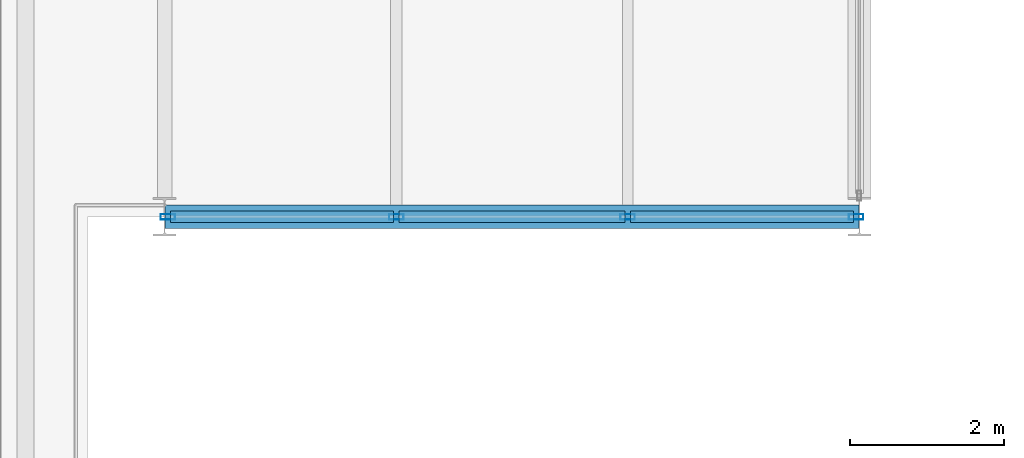
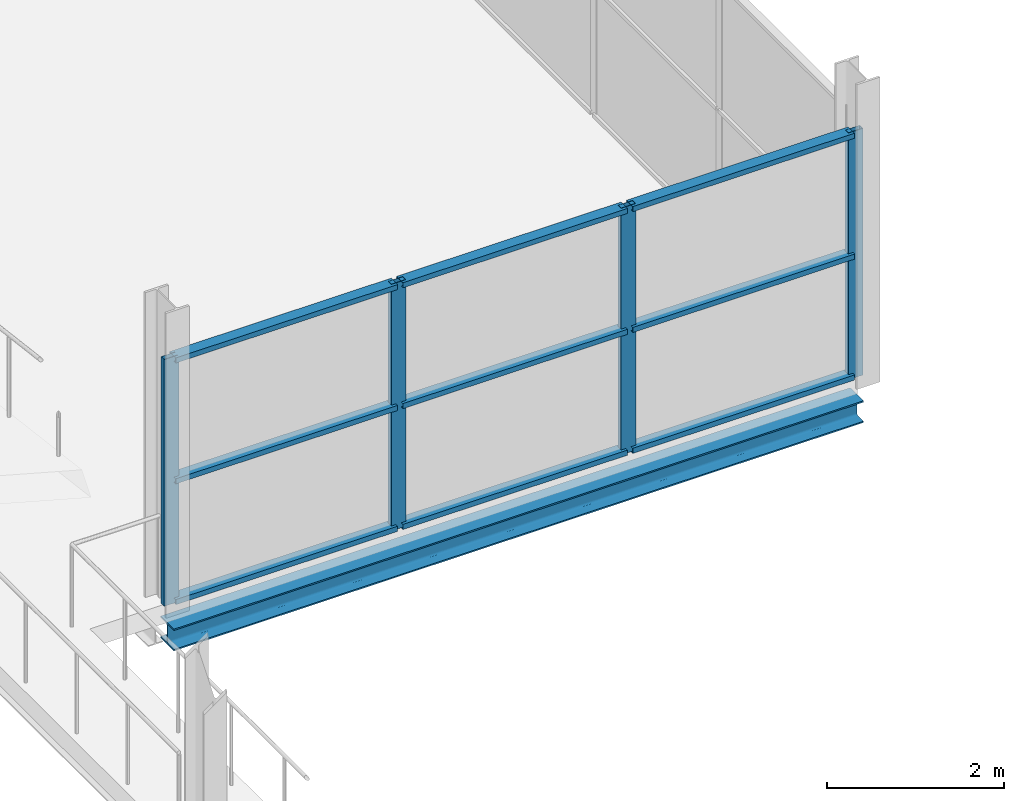
# One storey, part 20 of 103: 13 members, 1 beam, 1 element without a shape of its own.
"""IFC4 building model written with IfcOpenShell, lengths in metres."""

import ifcopenshell
import ifcopenshell.guid

model = None  # the IFC model being written
_history = None  # IfcOwnerHistory: only IFC2X3 demands one
_inside = {}  # id of a spatial element -> (the spatial element, [elements in it])
_under = {}  # id of a project, library or spatial element -> (it, [spatial elements below it])
_declared = {}  # id of a project -> (the project, [libraries it declares])
_typed = {}  # id of a type object -> (the type object, [elements of that type])
_made_of = {}  # id of a material, layer set ... -> (it, [elements and type objects made of it])


def new_model(schema):
    """Start an empty IFC model of exactly this schema.

    Asked for "IFC4X3", IfcOpenShell would pick the latest addendum, in which some entities
    have other attributes; the version numbers below select the first issue.
    IFC2X3 requires an IfcOwnerHistory on every rooted entity: one is made here for all.
    """
    global model, _history
    if schema == "IFC4X3":
        model = ifcopenshell.file(schema_version=(4, 3, 0, 0))
    else:
        model = ifcopenshell.file(schema=schema)
    _inside.clear()
    _under.clear()
    _declared.clear()
    _typed.clear()
    _made_of.clear()
    _history = None
    if model.schema == "IFC2X3":
        org = make("IfcOrganization", Name="unknown")
        user = make(
            "IfcPersonAndOrganization",
            ThePerson=make("IfcPerson", FamilyName="unknown"),
            TheOrganization=org,
        )
        app = make(
            "IfcApplication",
            ApplicationDeveloper=org,
            Version="unknown",
            ApplicationFullName="unknown",
            ApplicationIdentifier="unknown",
        )
        _history = make(
            "IfcOwnerHistory",
            OwningUser=user,
            OwningApplication=app,
            ChangeAction="ADDED",
            CreationDate=0,
        )
    return model


def make(cls, **values):
    """One entity of the class cls with the attributes given. An attribute that is None is left unset."""
    return model.create_entity(
        cls, **{name: value for name, value in values.items() if value is not None}
    )


def rooted(cls, **values):
    """An entity with a GlobalId (a new one), such as an element, a storey or a relation."""
    return make(cls, GlobalId=ifcopenshell.guid.new(), OwnerHistory=_history, **values)


def si_unit(unit_type, name, prefix=None):
    """IfcSIUnit, for example si_unit("LENGTHUNIT", "METRE", prefix="MILLI")."""
    return make("IfcSIUnit", UnitType=unit_type, Prefix=prefix, Name=name)


def assignment(units):
    """IfcUnitAssignment: the units of a project."""
    return None if units is None else make("IfcUnitAssignment", Units=units)


def point(xyz):
    """IfcCartesianPoint."""
    return None if xyz is None else make("IfcCartesianPoint", Coordinates=xyz)


def direction(xyz):
    """IfcDirection."""
    return None if xyz is None else make("IfcDirection", DirectionRatios=xyz)


def frame(location, z_axis=None, x_axis=None):
    """IfcAxis2Placement3D, a coordinate frame: its origin and axes. An axis left out is left unset."""
    return make(
        "IfcAxis2Placement3D",
        Location=point(location),
        Axis=direction(z_axis),
        RefDirection=direction(x_axis),
    )


def frame_2d(location, x_axis=None):
    """IfcAxis2Placement2D, a coordinate frame in the plane: its origin and x axis."""
    return make(
        "IfcAxis2Placement2D", Location=point(location), RefDirection=direction(x_axis)
    )


def origin():
    """The frame at (0, 0, 0) with its axes left unset."""
    return frame((0.0, 0.0, 0.0))


def origin_2d():
    """The frame at (0, 0) in the plane with its x axis left unset."""
    return frame_2d((0.0, 0.0))


def place(relative_to, where):
    """IfcLocalPlacement: puts the frame where relative to a parent placement (None: the world)."""
    return make(
        "IfcLocalPlacement", PlacementRelTo=relative_to, RelativePlacement=where
    )


def context(
    kind, dimensions, precision=None, world=None, true_north=None, identifier=None
):
    """IfcGeometricRepresentationContext, for example the 3D "Model" context."""
    return make(
        "IfcGeometricRepresentationContext",
        ContextIdentifier=identifier,
        ContextType=kind,
        CoordinateSpaceDimension=dimensions,
        Precision=precision,
        WorldCoordinateSystem=world,
        TrueNorth=true_north,
    )


def subcontext(parent, identifier, kind, view, scale=None):
    """IfcGeometricRepresentationSubContext, for example "Body" below "Model"."""
    return make(
        "IfcGeometricRepresentationSubContext",
        ContextIdentifier=identifier,
        ContextType=kind,
        ParentContext=parent,
        TargetScale=scale,
        TargetView=view,
    )


def project(units=None, contexts=None):
    """IfcProject with its units and contexts."""
    return rooted(
        "IfcProject",
        Name="project",
        RepresentationContexts=contexts,
        UnitsInContext=assignment(units),
    )


def spatial(cls, under=None, at=None, **own):
    """A site, building, storey or space (cls), placed at a placement, below another one or the project."""
    s = rooted(cls, ObjectPlacement=at, **own)
    if under is not None:
        _under.setdefault(under.id(), (under, []))[1].append(s)
    return s


def profile(cls, at=None, kind="AREA", **sizes):
    """A parametric profile (cls). Its sizes go by their IFC names, for example OverallWidth=200.0."""
    return make(cls, ProfileType=kind, Position=at, **sizes)


def hollow_rectangle(**sizes):
    """IfcRectangleHollowProfileDef."""
    return profile("IfcRectangleHollowProfileDef", **sizes)


def i_section(**sizes):
    """IfcIShapeProfileDef."""
    return profile("IfcIShapeProfileDef", **sizes)


def extrude(swept, where, along, depth):
    """IfcExtrudedAreaSolid: the profile swept, set in the frame where, extruded along a direction by depth."""
    return make(
        "IfcExtrudedAreaSolid",
        SweptArea=swept,
        Position=where,
        ExtrudedDirection=direction(along),
        Depth=depth,
    )


def shape(context_of_items, identifier, shape_type, items):
    """IfcShapeRepresentation: the items that make up one representation, for example the "Body"."""
    return make(
        "IfcShapeRepresentation",
        ContextOfItems=context_of_items,
        RepresentationIdentifier=identifier,
        RepresentationType=shape_type,
        Items=items,
    )


def material(Name=None, Category=None):
    """IfcMaterial."""
    return make("IfcMaterial", Name=Name, Category=Category)


def layer(
    of_material, thickness, ventilated=None, Name=None, Category=None, Priority=None
):
    """IfcMaterialLayer: one layer of a wall or slab, of a material (None: an air gap)."""
    return make(
        "IfcMaterialLayer",
        Material=of_material,
        LayerThickness=thickness,
        IsVentilated=ventilated,
        Name=Name,
        Category=Category,
        Priority=Priority,
    )


def layer_set(layers, Name=None):
    """IfcMaterialLayerSet."""
    return make("IfcMaterialLayerSet", MaterialLayers=layers, LayerSetName=Name)


def material_profile(
    of_material, cross_section, Name=None, Category=None, Priority=None
):
    """IfcMaterialProfile: a cross section and its material."""
    return make(
        "IfcMaterialProfile",
        Name=Name,
        Material=of_material,
        Profile=cross_section,
        Priority=Priority,
        Category=Category,
    )


def profile_set(profiles, Name=None, composite=None):
    """IfcMaterialProfileSet."""
    return make(
        "IfcMaterialProfileSet",
        Name=Name,
        MaterialProfiles=profiles,
        CompositeProfile=composite,
    )


def made_of(thing, what):
    """Note that an element or type object is made of a material, layer set ...; save() writes the relation."""
    if what is not None:
        _made_of.setdefault(what.id(), (what, []))[1].append(thing)
    return thing


def type_object(cls, material=None, **own):
    """A type object (cls), such as IfcWallType, which elements share."""
    return made_of(rooted(cls, **own), material)


def element(
    cls,
    number,
    at=None,
    inside=None,
    cuts=None,
    type_object=None,
    material=None,
    context=None,
    identifier="Body",
    shape_type=None,
    held_by="IfcProductDefinitionShape",
    body=None,
    shapes=None,
    **own,
):
    """One element of the class cls, such as IfcWall. Its Tag is "e" and its number.

    at: its placement. inside: the storey or other place that contains it. cuts: it is an
    opening in that element (IfcRelVoidsElement). A single representation is given by context,
    identifier, shape_type and body (its items); several are given by shapes. held_by: the class
    of the entity that holds the representations. save() writes the other relations.
    """
    e = rooted(cls, Tag="e%d" % number, ObjectPlacement=at, **own)
    if body is not None:
        shapes = [shape(context, identifier, shape_type, body)]
    if shapes is not None:
        e.Representation = make(held_by, Representations=shapes)
    if inside is not None:
        _inside.setdefault(inside.id(), (inside, []))[1].append(e)
    if cuts is not None:
        rooted(
            "IfcRelVoidsElement", RelatingBuildingElement=cuts, RelatedOpeningElement=e
        )
    if type_object is not None:
        _typed.setdefault(type_object.id(), (type_object, []))[1].append(e)
    return made_of(e, material)


def aggregate(whole, parts):
    """IfcRelAggregates: a whole, such as a stair, and the parts it consists of."""
    return rooted("IfcRelAggregates", RelatingObject=whole, RelatedObjects=parts)


def save(model, path):
    """Write the relations noted so far, then the file.

    IfcRelAggregates (storeys below a building ...), IfcRelContainedInSpatialStructure (elements
    in a storey), IfcRelDefinesByType, IfcRelAssociatesMaterial and IfcRelDeclares: one each for
    every whole, place, type object, material and project.
    """
    for whole, parts in _under.values():
        aggregate(whole, parts)
    for where, things in _inside.values():
        rooted(
            "IfcRelContainedInSpatialStructure",
            RelatedElements=things,
            RelatingStructure=where,
        )
    for kind, things in _typed.values():
        rooted("IfcRelDefinesByType", RelatedObjects=things, RelatingType=kind)
    for what, things in _made_of.values():
        rooted("IfcRelAssociatesMaterial", RelatedObjects=things, RelatingMaterial=what)
    for by, libraries in _declared.values():
        rooted("IfcRelDeclares", RelatingContext=by, RelatedDefinitions=libraries)
    model.write(path)


model = new_model("IFC4")

# Units and contexts
model_context = context("Model", 3, precision=1e-05, world=origin(), true_north=direction((0.0, 1.0)))
body_context = subcontext(model_context, "Body", "Model", "MODEL_VIEW")
ifc_project = project(units=[si_unit("LENGTHUNIT", "METRE"), si_unit("AREAUNIT", "SQUARE_METRE"), si_unit("VOLUMEUNIT", "CUBIC_METRE"), si_unit("PLANEANGLEUNIT", "RADIAN"), si_unit("MASSUNIT", "GRAM", prefix="KILO")], contexts=[model_context])

# Site, building, storey
site_placement = place(None, origin())
site = spatial("IfcSite", under=ifc_project, at=site_placement, CompositionType="ELEMENT")
building_placement = place(site_placement, origin())
building = spatial("IfcBuilding", under=site, at=building_placement, Name="Deido Ridge Mobility Hub", CompositionType="ELEMENT")
storey_placement = place(building_placement, frame((0.0, 0.0, 12.60009765625)))
storey = spatial("IfcBuildingStorey", under=building, at=storey_placement, Name="L03", CompositionType="ELEMENT", Elevation=12.60009765625)

# Curtain wall, members
ifc_material_1 = material(Name="Anodised aluminium EN AW-6063 T6", Category="aluminium")
ifc_layer = layer(ifc_material_1, 0.156005859375, Name="Anodised aluminium EN AW-6063 T6")
ifc_layer_set = layer_set([ifc_layer], Name="Anodised aluminium EN AW-6063 T6")
curtain_wall_type = type_object("IfcCurtainWallType", Name="CW-GS-3", PredefinedType="USERDEFINED", material=ifc_layer_set)
curtain_wall_placement = place(storey_placement, origin())
curtain_wall = element("IfcCurtainWall", 1, at=curtain_wall_placement, inside=storey, type_object=curtain_wall_type, Name="Unitised curtain wall GS3", ObjectType="GLAZED SCREEN", PredefinedType="USERDEFINED")
ifc_material_profile_1 = material_profile(ifc_material_1, hollow_rectangle(XDim=0.070068359375, YDim=0.18994140625, WallThickness=0.00390625, at=origin_2d()), Name="RHS 70x190x4")
ifc_profile_set_1 = profile_set([ifc_material_profile_1], Name="Anodised aluminium EN AW-6063 T6")
member_type_1 = type_object("IfcMemberType", Name="MEM-MUL-70X190", PredefinedType="MULLION", material=ifc_profile_set_1)
member_1_placement = place(storey_placement, frame((99.042236328125, 54.0, 0.0), z_axis=(0.0, 0.0, 1.0), x_axis=(0.0, 1.0, 0.0)))
member_1 = element("IfcMember", 2, at=member_1_placement, type_object=member_type_1, Name="GS3 mullion 1", PredefinedType="MULLION", context=body_context, shape_type="SweptSolid", body=[
    extrude(hollow_rectangle(XDim=0.070068359375, YDim=0.18994140625, WallThickness=0.00390625, at=origin_2d()), origin(), (0.0, 0.0, 1.0), 3.39990234375),
])
member_2_placement = place(storey_placement, frame((102.00244140625, 54.0, 0.0), z_axis=(0.0, 0.0, 1.0), x_axis=(0.0, 1.0, 0.0)))
member_2 = element("IfcMember", 3, at=member_2_placement, type_object=member_type_1, Name="GS3 mullion 2", PredefinedType="MULLION", context=body_context, shape_type="SweptSolid", body=[
    extrude(hollow_rectangle(XDim=0.070068359375, YDim=0.18994140625, WallThickness=0.00390625, at=origin_2d()), origin(), (0.0, 0.0, 1.0), 3.39990234375),
])
member_3_placement = place(storey_placement, frame((104.99755859375, 54.0, 0.0), z_axis=(0.0, 0.0, 1.0), x_axis=(0.0, 1.0, 0.0)))
member_3 = element("IfcMember", 4, at=member_3_placement, type_object=member_type_1, Name="GS3 mullion 3", PredefinedType="MULLION", context=body_context, shape_type="SweptSolid", body=[
    extrude(hollow_rectangle(XDim=0.070068359375, YDim=0.18994140625, WallThickness=0.00390625, at=origin_2d()), origin(), (0.0, 0.0, 1.0), 3.39990234375),
])
member_4_placement = place(storey_placement, frame((107.957763671875, 54.0, 0.0), z_axis=(0.0, 0.0, 1.0), x_axis=(0.0, 1.0, 0.0)))
member_4 = element("IfcMember", 5, at=member_4_placement, type_object=member_type_1, Name="GS3 mullion 4", PredefinedType="MULLION", context=body_context, shape_type="SweptSolid", body=[
    extrude(hollow_rectangle(XDim=0.070068359375, YDim=0.18994140625, WallThickness=0.00390625, at=origin_2d()), origin(), (0.0, 0.0, 1.0), 3.39990234375),
])
ifc_material_profile_2 = material_profile(ifc_material_1, hollow_rectangle(XDim=0.14501953125, YDim=0.070068359375, WallThickness=0.00390625, at=origin_2d()), Name="RHS 145x70x4")
ifc_profile_set_2 = profile_set([ifc_material_profile_2], Name="Anodised aluminium EN AW-6063 T6")
member_type_2 = type_object("IfcMemberType", Name="MEM-TRN-145X70", PredefinedType="USERDEFINED", material=ifc_profile_set_2)
member_5_placement = place(storey_placement, frame((99.0771484375, 54.0, 0.034912109375), z_axis=(1.0, 0.0, 0.0), x_axis=(0.0, 1.0, 0.0)))
member_5 = element("IfcMember", 6, at=member_5_placement, type_object=member_type_2, Name="GS3 transom 1.1", ObjectType="TRANSOM", PredefinedType="USERDEFINED", context=body_context, shape_type="SweptSolid", body=[
    extrude(hollow_rectangle(XDim=0.14501953125, YDim=0.070068359375, WallThickness=0.00390625, at=origin_2d()), origin(), (0.0, 0.0, 1.0), 2.89013671875),
])
member_6_placement = place(storey_placement, frame((99.0771484375, 54.0, 1.699951171875), z_axis=(1.0, 0.0, 0.0), x_axis=(0.0, 1.0, 0.0)))
member_6 = element("IfcMember", 7, at=member_6_placement, type_object=member_type_2, Name="GS3 transom 1.2", ObjectType="TRANSOM", PredefinedType="USERDEFINED", context=body_context, shape_type="SweptSolid", body=[
    extrude(hollow_rectangle(XDim=0.14501953125, YDim=0.070068359375, WallThickness=0.00390625, at=origin_2d()), origin(), (0.0, 0.0, 1.0), 2.89013671875),
])
member_7_placement = place(storey_placement, frame((99.0771484375, 54.0, 3.364990234375), z_axis=(1.0, 0.0, 0.0), x_axis=(0.0, 1.0, 0.0)))
member_7 = element("IfcMember", 8, at=member_7_placement, type_object=member_type_2, Name="GS3 transom 1.3", ObjectType="TRANSOM", PredefinedType="USERDEFINED", context=body_context, shape_type="SweptSolid", body=[
    extrude(hollow_rectangle(XDim=0.14501953125, YDim=0.070068359375, WallThickness=0.00390625, at=origin_2d()), origin(), (0.0, 0.0, 1.0), 2.89013671875),
])
member_8_placement = place(storey_placement, frame((102.037353515625, 54.0, 0.034912109375), z_axis=(1.0, 0.0, 0.0), x_axis=(0.0, 1.0, 0.0)))
member_8 = element("IfcMember", 9, at=member_8_placement, type_object=member_type_2, Name="GS3 transom 2.1", ObjectType="TRANSOM", PredefinedType="USERDEFINED", context=body_context, shape_type="SweptSolid", body=[
    extrude(hollow_rectangle(XDim=0.14501953125, YDim=0.070068359375, WallThickness=0.00390625, at=origin_2d()), origin(), (0.0, 0.0, 1.0), 2.92529296875),
])
member_9_placement = place(storey_placement, frame((102.037353515625, 54.0, 1.699951171875), z_axis=(1.0, 0.0, 0.0), x_axis=(0.0, 1.0, 0.0)))
member_9 = element("IfcMember", 10, at=member_9_placement, type_object=member_type_2, Name="GS3 transom 2.2", ObjectType="TRANSOM", PredefinedType="USERDEFINED", context=body_context, shape_type="SweptSolid", body=[
    extrude(hollow_rectangle(XDim=0.14501953125, YDim=0.070068359375, WallThickness=0.00390625, at=origin_2d()), origin(), (0.0, 0.0, 1.0), 2.92529296875),
])
member_10_placement = place(storey_placement, frame((102.037353515625, 54.0, 3.364990234375), z_axis=(1.0, 0.0, 0.0), x_axis=(0.0, 1.0, 0.0)))
member_10 = element("IfcMember", 11, at=member_10_placement, type_object=member_type_2, Name="GS3 transom 2.3", ObjectType="TRANSOM", PredefinedType="USERDEFINED", context=body_context, shape_type="SweptSolid", body=[
    extrude(hollow_rectangle(XDim=0.14501953125, YDim=0.070068359375, WallThickness=0.00390625, at=origin_2d()), origin(), (0.0, 0.0, 1.0), 2.92529296875),
])
member_11_placement = place(storey_placement, frame((105.03271484375, 54.0, 0.034912109375), z_axis=(1.0, 0.0, 0.0), x_axis=(0.0, 1.0, 0.0)))
member_11 = element("IfcMember", 12, at=member_11_placement, type_object=member_type_2, Name="GS3 transom 3.1", ObjectType="TRANSOM", PredefinedType="USERDEFINED", context=body_context, shape_type="SweptSolid", body=[
    extrude(hollow_rectangle(XDim=0.14501953125, YDim=0.070068359375, WallThickness=0.00390625, at=origin_2d()), origin(), (0.0, 0.0, 1.0), 2.89013671875),
])
member_12_placement = place(storey_placement, frame((105.03271484375, 54.0, 1.699951171875), z_axis=(1.0, 0.0, 0.0), x_axis=(0.0, 1.0, 0.0)))
member_12 = element("IfcMember", 13, at=member_12_placement, type_object=member_type_2, Name="GS3 transom 3.2", ObjectType="TRANSOM", PredefinedType="USERDEFINED", context=body_context, shape_type="SweptSolid", body=[
    extrude(hollow_rectangle(XDim=0.14501953125, YDim=0.070068359375, WallThickness=0.00390625, at=origin_2d()), origin(), (0.0, 0.0, 1.0), 2.89013671875),
])
member_13_placement = place(storey_placement, frame((105.03271484375, 54.0, 3.364990234375), z_axis=(1.0, 0.0, 0.0), x_axis=(0.0, 1.0, 0.0)))
member_13 = element("IfcMember", 14, at=member_13_placement, type_object=member_type_2, Name="GS3 transom 3.3", ObjectType="TRANSOM", PredefinedType="USERDEFINED", context=body_context, shape_type="SweptSolid", body=[
    extrude(hollow_rectangle(XDim=0.14501953125, YDim=0.070068359375, WallThickness=0.00390625, at=origin_2d()), origin(), (0.0, 0.0, 1.0), 2.89013671875),
])
aggregate(curtain_wall, [member_1, member_2, member_3, member_4, member_5, member_6, member_7, member_8, member_9, member_10, member_11, member_12, member_13])

# Beam
ifc_material_2 = material(Name="Steel S355J2 EN 10025-2", Category="steel")
ifc_material_profile_3 = material_profile(ifc_material_2, i_section(OverallWidth=0.300048828125, OverallDepth=0.300048828125, WebThickness=0.010986328125, FlangeThickness=0.01904296875, FilletRadius=0.027099609375, at=origin_2d()), Name="HEB 300")
ifc_profile_set_3 = profile_set([ifc_material_profile_3], Name="Steel S355J2 EN 10025-2")
beam_type = type_object("IfcBeamType", Name="SPD-HEB300", PredefinedType="SPANDREL", material=ifc_profile_set_3)
beam_placement = place(storey_placement, frame((99.007080078125, 54.0, -0.4150390625), z_axis=(1.0, 0.0, 0.0), x_axis=(0.0, 1.0, 0.0)))
element("IfcBeam", 15, at=beam_placement, inside=storey, type_object=beam_type, Name="Floor beam SP1", PredefinedType="SPANDREL", context=body_context, shape_type="SweptSolid", body=[
    extrude(i_section(OverallWidth=0.300048828125, OverallDepth=0.300048828125, WebThickness=0.010986328125, FlangeThickness=0.01904296875, FilletRadius=0.027099609375, at=origin_2d()), origin(), (0.0, 0.0, 1.0), 8.98583984375),
])

save(model, "model.ifc")
